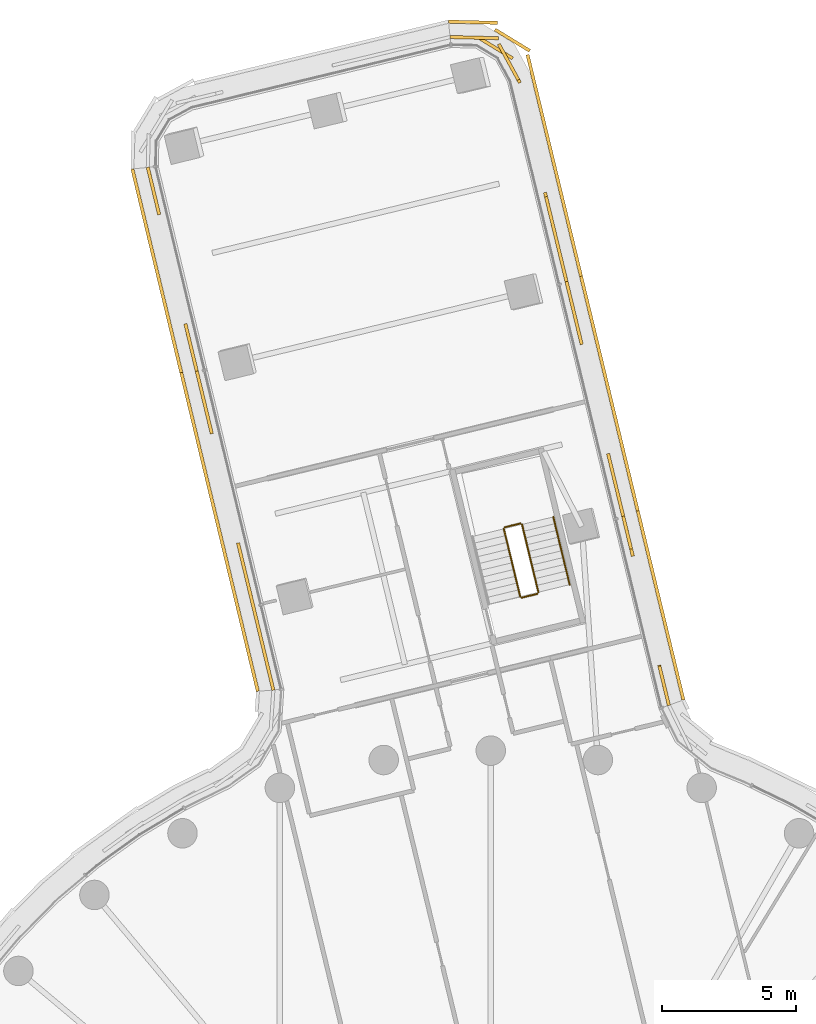
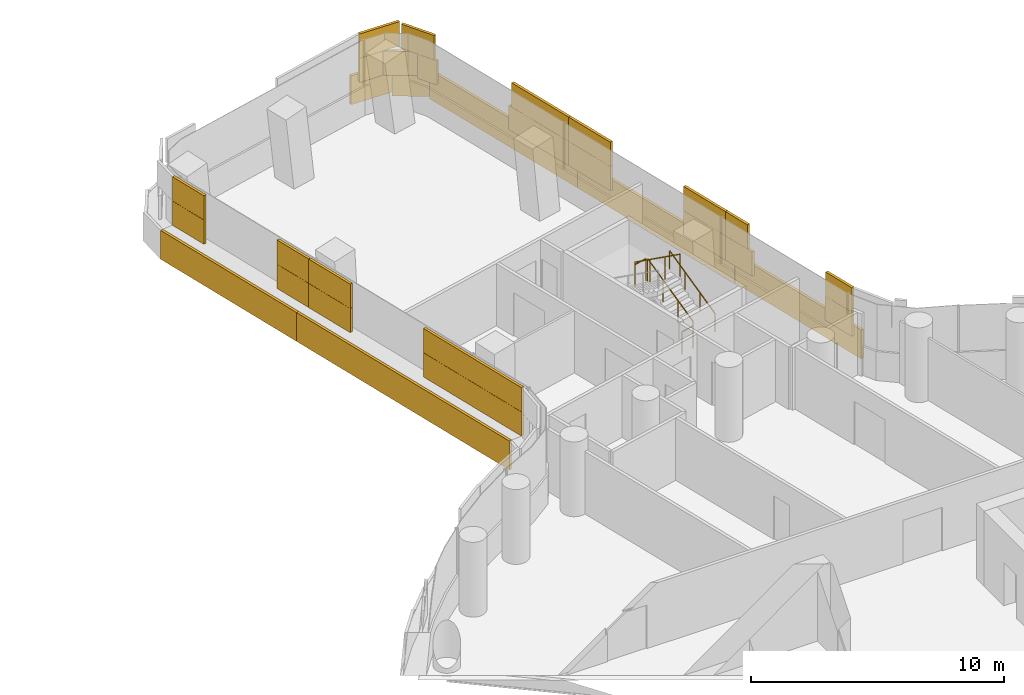
# One storey, part 31 of 33: 5 coverings, 5 railings.
"""IFC4 building model written with IfcOpenShell, lengths in metres."""

from ifc_helpers import new_model, si_unit, direction, frame, origin, origin_2d, place, context, subcontext, project, spatial, rectangle, circle, extrude, material, layer, layer_set, type_object, element, save


model = new_model("IFC4")

# Units and contexts
model_context = context("Model", 3, precision=1e-05, world=origin(), true_north=direction((0.0, 1.0)))
body_context = subcontext(model_context, "Body", "Model", "MODEL_VIEW")
ifc_project = project(units=[si_unit("LENGTHUNIT", "METRE"), si_unit("AREAUNIT", "SQUARE_METRE"), si_unit("VOLUMEUNIT", "CUBIC_METRE"), si_unit("PLANEANGLEUNIT", "RADIAN"), si_unit("MASSUNIT", "GRAM", prefix="KILO")], contexts=[model_context])

# Site, building, storey
site_placement = place(None, origin())
site = spatial("IfcSite", under=ifc_project, at=site_placement, CompositionType="ELEMENT")
building_placement = place(site_placement, origin())
building = spatial("IfcBuilding", under=site, at=building_placement, Name="Tamarind Cross Interchange Tower", CompositionType="ELEMENT")
storey_placement = place(building_placement, frame((0.0, 0.0, 83.5)))
storey = spatial("IfcBuildingStorey", under=building, at=storey_placement, Name="L19", CompositionType="ELEMENT", Elevation=83.5)

# Railings
ifc_material_1 = material(Name="Stair guard")
railing_type_1 = type_object("IfcRailingType", Name="Stair guard", PredefinedType="GUARDRAIL", material=ifc_material_1)
railing_1_placement = place(storey_placement, frame((1.77685546875, 28.91064453125, 0.17041015625)))
element("IfcRailing", 1, at=railing_1_placement, inside=storey, type_object=railing_type_1, Name="L19 ST4 stair guard 1", PredefinedType="GUARDRAIL", context=body_context, shape_type="SweptSolid", body=[
    extrude(circle(Radius=0.02392578125, at=origin_2d()), frame((0.0, 0.0, 1.076171875), z_axis=(-0.196408313984, 0.812883829688, 0.548309815369), x_axis=(-0.972029004941, -0.234860838697, 0.0)), (0.0, 0.0, 1.0), 3.10888671875),
    extrude(circle(Radius=0.02099609375, at=origin_2d()), origin(), (0.0, 0.0, 1.0), 1.052001953125),
    extrude(circle(Radius=0.02099609375, at=origin_2d()), frame((-0.20361328125, 0.84228515625, 0.568115234375)), (0.0, 0.0, 1.0), 1.052001953125),
    extrude(circle(Radius=0.02099609375, at=origin_2d()), frame((-0.406982421875, 1.684814453125, 1.136474609375)), (0.0, 0.0, 1.0), 1.052001953125),
    extrude(circle(Radius=0.02099609375, at=origin_2d()), frame((-0.610595703125, 2.527099609375, 1.70458984375)), (0.0, 0.0, 1.0), 1.052001953125),
])
railing_2_placement = place(storey_placement, frame((1.10595703125, 31.474609375, 1.875)))
element("IfcRailing", 2, at=railing_2_placement, inside=storey, type_object=railing_type_1, Name="L19 ST4 stair guard 2", PredefinedType="GUARDRAIL", context=body_context, shape_type="SweptSolid", body=[
    extrude(circle(Radius=0.02392578125, at=origin_2d()), frame((0.0, 0.0, 1.076171875), z_axis=(-0.972050197277, -0.234773111691, 0.0), x_axis=(0.234773111691, -0.972050197277, 0.0)), (0.0, 0.0, 1.0), 0.60009765625),
    extrude(circle(Radius=0.02099609375, at=origin_2d()), origin(), (0.0, 0.0, 1.0), 1.052001953125),
    extrude(circle(Radius=0.02099609375, at=origin_2d()), frame((-0.583251953125, -0.140869140625, 0.0)), (0.0, 0.0, 1.0), 1.052001953125),
])
railing_3_placement = place(storey_placement, frame((0.48583984375, 31.2734375, 2.04541015625)))
element("IfcRailing", 3, at=railing_3_placement, inside=storey, type_object=railing_type_1, Name="L19 ST4 stair guard 3", PredefinedType="GUARDRAIL", context=body_context, shape_type="SweptSolid", body=[
    extrude(circle(Radius=0.02392578125, at=origin_2d()), frame((0.0, 0.0, 1.076171875), z_axis=(0.196395776398, -0.812910466723, 0.548274814399), x_axis=(0.972034184093, 0.234839402475, 0.0)), (0.0, 0.0, 1.0), 3.10888671875),
    extrude(circle(Radius=0.02099609375, at=origin_2d()), origin(), (0.0, 0.0, 1.0), 1.052001953125),
    extrude(circle(Radius=0.02099609375, at=origin_2d()), frame((0.20361328125, -0.842529296875, 0.568115234375)), (0.0, 0.0, 1.0), 1.052001953125),
    extrude(circle(Radius=0.02099609375, at=origin_2d()), frame((0.406982421875, -1.684814453125, 1.136474609375)), (0.0, 0.0, 1.0), 1.052001953125),
    extrude(circle(Radius=0.02099609375, at=origin_2d()), frame((0.610595703125, -2.52734375, 1.70458984375)), (0.0, 0.0, 1.0), 1.052001953125),
])
railing_4_placement = place(storey_placement, frame((1.739990234375, 28.85009765625, 0.0)))
element("IfcRailing", 4, at=railing_4_placement, inside=storey, type_object=railing_type_1, Name="L19 ST4 stair guard 4", PredefinedType="GUARDRAIL", context=body_context, shape_type="SweptSolid", body=[
    extrude(circle(Radius=0.02392578125, at=origin_2d()), frame((0.0, 0.0, 1.076171875), z_axis=(-0.972050197277, -0.234773111691, 0.0), x_axis=(0.234773111691, -0.972050197277, 0.0)), (0.0, 0.0, 1.0), 0.60009765625),
    extrude(circle(Radius=0.02099609375, at=origin_2d()), origin(), (0.0, 0.0, 1.0), 1.052001953125),
    extrude(circle(Radius=0.02099609375, at=origin_2d()), frame((-0.583251953125, -0.140869140625, 0.0)), (0.0, 0.0, 1.0), 1.052001953125),
])
ifc_material_2 = material(Name="Stair handrail")
railing_type_2 = type_object("IfcRailingType", Name="Stair handrail", PredefinedType="HANDRAIL", material=ifc_material_2)
railing_5_placement = place(storey_placement, frame((2.943115234375, 29.1923828125, 0.17041015625)))
element("IfcRailing", 5, at=railing_5_placement, inside=storey, type_object=railing_type_2, Name="L19 ST4 stair handrail 1", PredefinedType="HANDRAIL", context=body_context, shape_type="SweptSolid", body=[
    extrude(circle(Radius=0.02392578125, at=origin_2d()), frame((0.0, 0.0, 0.8759765625), z_axis=(-0.196320276637, 0.812923001498, 0.548283268591), x_axis=(-0.97205561484, -0.234750679782, 0.0)), (0.0, 0.0, 1.0), 3.10888671875),
    extrude(circle(Radius=0.02099609375, at=origin_2d()), origin(), (0.0, 0.0, 1.0), 0.851806640625),
    extrude(circle(Radius=0.02099609375, at=origin_2d()), frame((-0.203369140625, 0.842529296875, 0.568115234375)), (0.0, 0.0, 1.0), 0.851806640625),
    extrude(circle(Radius=0.02099609375, at=origin_2d()), frame((-0.406982421875, 1.684814453125, 1.136474609375)), (0.0, 0.0, 1.0), 0.851806640625),
    extrude(circle(Radius=0.02099609375, at=origin_2d()), frame((-0.6103515625, 2.52734375, 1.70458984375)), (0.0, 0.0, 1.0), 0.851806640625),
])

# Coverings
ifc_material_3 = material(Name="Terracotta", Category="masonry")
ifc_layer = layer(ifc_material_3, 0.1201171875)
ifc_layer_set = layer_set([ifc_layer], Name="Terracotta")
covering_type = type_object("IfcCoveringType", Name="Terracotta baguette screen unit", PredefinedType="MOLDING", material=ifc_layer_set)
covering_1_placement = place(storey_placement, origin())
element("IfcCovering", 6, at=covering_1_placement, inside=storey, type_object=covering_type, Name="SCR-L19-01-00", PredefinedType="MOLDING", context=body_context, shape_type="SweptSolid", body=[
    extrude(rectangle(XDim=0.760009765625, YDim=0.1201171875, at=origin_2d()), frame((-12.704345703125, 44.39208984375, 1.404052734375), z_axis=(0.0, 0.0, 1.0), x_axis=(0.233544182771, -0.972346190764, 0.0)), (0.0, 0.0, 1.0), 1.1669921875),
    extrude(rectangle(XDim=1.06591796875, YDim=0.1201171875, at=origin_2d()), frame((-12.49365234375, 43.51416015625, 1.404052734375), z_axis=(0.0, 0.0, 1.0), x_axis=(0.233544182771, -0.972346190764, 0.0)), (0.0, 0.0, 1.0), 1.1669921875),
    extrude(rectangle(XDim=0.754150390625, YDim=0.1201171875, at=origin_2d()), frame((-11.302490234375, 38.55517578125, 1.404052734375), z_axis=(0.0, 0.0, 1.0), x_axis=(0.233544182771, -0.972346190764, 0.0)), (0.0, 0.0, 1.0), 1.1669921875),
    extrude(rectangle(XDim=1.07177734375, YDim=0.1201171875, at=origin_2d()), frame((-11.091552734375, 37.67724609375, 1.404052734375), z_axis=(0.0, 0.0, 1.0), x_axis=(0.233544182771, -0.972346190764, 0.0)), (0.0, 0.0, 1.0), 1.1669921875),
    extrude(rectangle(XDim=1.510009765625, YDim=0.1201171875, at=origin_2d()), frame((-12.616943359375, 44.02734375, 2.5791015625), z_axis=(0.0, 0.0, 1.0), x_axis=(0.233544182771, -0.972346190764, 0.0)), (0.0, 0.0, 1.0), 1.1669921875),
    extrude(rectangle(XDim=0.31591796875, YDim=0.1201171875, at=origin_2d()), frame((-12.406005859375, 43.1494140625, 2.5791015625), z_axis=(0.0, 0.0, 1.0), x_axis=(0.233544182771, -0.972346190764, 0.0)), (0.0, 0.0, 1.0), 1.1669921875),
    extrude(rectangle(XDim=1.504150390625, YDim=0.1201171875, at=origin_2d()), frame((-11.21484375, 38.1904296875, 2.5791015625), z_axis=(0.0, 0.0, 1.0), x_axis=(0.233544182771, -0.972346190764, 0.0)), (0.0, 0.0, 1.0), 1.1669921875),
    extrude(rectangle(XDim=0.32177734375, YDim=0.1201171875, at=origin_2d()), frame((-11.00390625, 37.3125, 2.5791015625), z_axis=(0.0, 0.0, 1.0), x_axis=(0.233544182771, -0.972346190764, 0.0)), (0.0, 0.0, 1.0), 1.1669921875),
    extrude(rectangle(XDim=0.760009765625, YDim=0.1201171875, at=origin_2d()), frame((-13.27880859375, 44.326171875, 0.00390625), z_axis=(0.0, 0.0, 1.0), x_axis=(0.233544182771, -0.972346190764, 0.0)), (0.0, 0.0, 1.0), 1.39208984375),
    extrude(rectangle(XDim=1.52001953125, YDim=0.1201171875, at=origin_2d()), frame((-13.017333984375, 43.237060546875, 0.00390625), z_axis=(0.0, 0.0, 1.0), x_axis=(0.233544182771, -0.972346190764, 0.0)), (0.0, 0.0, 1.0), 1.39208984375),
    extrude(rectangle(XDim=1.52001953125, YDim=0.1201171875, at=origin_2d()), frame((-12.6669921875, 41.778564453125, 0.00390625), z_axis=(0.0, 0.0, 1.0), x_axis=(0.233544182771, -0.972346190764, 0.0)), (0.0, 0.0, 1.0), 1.39208984375),
    extrude(rectangle(XDim=1.52001953125, YDim=0.1201171875, at=origin_2d()), frame((-12.316650390625, 40.320068359375, 0.00390625), z_axis=(0.0, 0.0, 1.0), x_axis=(0.233544182771, -0.972346190764, 0.0)), (0.0, 0.0, 1.0), 1.39208984375),
    extrude(rectangle(XDim=1.52001953125, YDim=0.1201171875, at=origin_2d()), frame((-11.96630859375, 38.861572265625, 0.00390625), z_axis=(0.0, 0.0, 1.0), x_axis=(0.233544182771, -0.972346190764, 0.0)), (0.0, 0.0, 1.0), 1.39208984375),
    extrude(rectangle(XDim=1.06689453125, YDim=0.1201171875, at=origin_2d()), frame((-11.6689453125, 37.623291015625, 0.00390625), z_axis=(0.0, 0.0, 1.0), x_axis=(0.233544182771, -0.972346190764, 0.0)), (0.0, 0.0, 1.0), 1.39208984375),
])
covering_2_placement = place(storey_placement, origin())
element("IfcCovering", 7, at=covering_2_placement, inside=storey, type_object=covering_type, Name="SCR-L19-01-01", PredefinedType="MOLDING", context=body_context, shape_type="SweptSolid", body=[
    extrude(rectangle(XDim=0.4482421875, YDim=0.1201171875, at=origin_2d()), frame((-10.91650390625, 36.947998046875, 1.404052734375), z_axis=(0.0, 0.0, 1.0), x_axis=(0.233544182771, -0.972346190764, 0.0)), (0.0, 0.0, 1.0), 1.1669921875),
    extrude(rectangle(XDim=1.52001953125, YDim=0.1201171875, at=origin_2d()), frame((-10.690185546875, 36.005615234375, 1.404052734375), z_axis=(0.0, 0.0, 1.0), x_axis=(0.233544182771, -0.972346190764, 0.0)), (0.0, 0.0, 1.0), 1.1669921875),
    extrude(rectangle(XDim=0.47119140625, YDim=0.1201171875, at=origin_2d()), frame((-10.461181640625, 35.052001953125, 1.404052734375), z_axis=(0.0, 0.0, 1.0), x_axis=(0.233544182771, -0.972346190764, 0.0)), (0.0, 0.0, 1.0), 1.1669921875),
    extrude(rectangle(XDim=1.348876953125, YDim=0.1201171875, at=origin_2d()), frame((-9.27001953125, 30.093017578125, 1.404052734375), z_axis=(0.0, 0.0, 1.0), x_axis=(0.233544182771, -0.972346190764, 0.0)), (0.0, 0.0, 1.0), 1.1669921875),
    extrude(rectangle(XDim=1.52001953125, YDim=0.1201171875, at=origin_2d()), frame((-8.9384765625, 28.712890625, 1.404052734375), z_axis=(0.0, 0.0, 1.0), x_axis=(0.233544182771, -0.972346190764, 0.0)), (0.0, 0.0, 1.0), 1.1669921875),
    extrude(rectangle(XDim=1.52001953125, YDim=0.1201171875, at=origin_2d()), frame((-8.588134765625, 27.25439453125, 1.404052734375), z_axis=(0.0, 0.0, 1.0), x_axis=(0.233544182771, -0.972346190764, 0.0)), (0.0, 0.0, 1.0), 1.1669921875),
    extrude(rectangle(XDim=1.30712890625, YDim=0.1201171875, at=origin_2d()), frame((-8.261474609375, 25.89453125, 1.404052734375), z_axis=(0.0, 0.0, 1.0), x_axis=(0.233544182771, -0.972346190764, 0.0)), (0.0, 0.0, 1.0), 1.1669921875),
    extrude(rectangle(XDim=1.1982421875, YDim=0.1201171875, at=origin_2d()), frame((-10.828857421875, 36.583251953125, 2.5791015625), z_axis=(0.0, 0.0, 1.0), x_axis=(0.233544182771, -0.972346190764, 0.0)), (0.0, 0.0, 1.0), 1.1669921875),
    extrude(rectangle(XDim=1.22119140625, YDim=0.1201171875, at=origin_2d()), frame((-10.548583984375, 35.416748046875, 2.5791015625), z_axis=(0.0, 0.0, 1.0), x_axis=(0.233544182771, -0.972346190764, 0.0)), (0.0, 0.0, 1.0), 1.1669921875),
    extrude(rectangle(XDim=0.598876953125, YDim=0.1201171875, at=origin_2d()), frame((-9.357666015625, 30.457763671875, 2.5791015625), z_axis=(0.0, 0.0, 1.0), x_axis=(0.233544182771, -0.972346190764, 0.0)), (0.0, 0.0, 1.0), 1.1669921875),
    extrude(rectangle(XDim=1.52001953125, YDim=0.1201171875, at=origin_2d()), frame((-9.11376953125, 29.442138671875, 2.5791015625), z_axis=(0.0, 0.0, 1.0), x_axis=(0.233544182771, -0.972346190764, 0.0)), (0.0, 0.0, 1.0), 1.1669921875),
    extrude(rectangle(XDim=1.52001953125, YDim=0.1201171875, at=origin_2d()), frame((-8.763427734375, 27.983642578125, 2.5791015625), z_axis=(0.0, 0.0, 1.0), x_axis=(0.233544182771, -0.972346190764, 0.0)), (0.0, 0.0, 1.0), 1.1669921875),
    extrude(rectangle(XDim=1.52001953125, YDim=0.1201171875, at=origin_2d()), frame((-8.4130859375, 26.525146484375, 2.5791015625), z_axis=(0.0, 0.0, 1.0), x_axis=(0.233544182771, -0.972346190764, 0.0)), (0.0, 0.0, 1.0), 1.1669921875),
    extrude(rectangle(XDim=0.55712890625, YDim=0.1201171875, at=origin_2d()), frame((-8.174072265625, 25.530029296875, 2.5791015625), z_axis=(0.0, 0.0, 1.0), x_axis=(0.233544182771, -0.972346190764, 0.0)), (0.0, 0.0, 1.0), 1.1669921875),
    extrude(rectangle(XDim=0.453125, YDim=0.1201171875, at=origin_2d()), frame((-11.491455078125, 36.88427734375, 0.00390625), z_axis=(0.0, 0.0, 1.0), x_axis=(0.233544182771, -0.972346190764, 0.0)), (0.0, 0.0, 1.0), 1.39208984375),
    extrude(rectangle(XDim=1.52001953125, YDim=0.1201171875, at=origin_2d()), frame((-11.265869140625, 35.944580078125, 0.00390625), z_axis=(0.0, 0.0, 1.0), x_axis=(0.233544182771, -0.972346190764, 0.0)), (0.0, 0.0, 1.0), 1.39208984375),
    extrude(rectangle(XDim=1.52001953125, YDim=0.1201171875, at=origin_2d()), frame((-10.91552734375, 34.486083984375, 0.00390625), z_axis=(0.0, 0.0, 1.0), x_axis=(0.233544182771, -0.972346190764, 0.0)), (0.0, 0.0, 1.0), 1.39208984375),
    extrude(rectangle(XDim=1.52001953125, YDim=0.1201171875, at=origin_2d()), frame((-10.565185546875, 33.027587890625, 0.00390625), z_axis=(0.0, 0.0, 1.0), x_axis=(0.233544182771, -0.972346190764, 0.0)), (0.0, 0.0, 1.0), 1.39208984375),
    extrude(rectangle(XDim=1.52001953125, YDim=0.1201171875, at=origin_2d()), frame((-10.21484375, 31.569091796875, 0.00390625), z_axis=(0.0, 0.0, 1.0), x_axis=(0.233544182771, -0.972346190764, 0.0)), (0.0, 0.0, 1.0), 1.39208984375),
    extrude(rectangle(XDim=1.52001953125, YDim=0.1201171875, at=origin_2d()), frame((-9.864501953125, 30.110595703125, 0.00390625), z_axis=(0.0, 0.0, 1.0), x_axis=(0.233544182771, -0.972346190764, 0.0)), (0.0, 0.0, 1.0), 1.39208984375),
    extrude(rectangle(XDim=1.52001953125, YDim=0.1201171875, at=origin_2d()), frame((-9.51416015625, 28.652099609375, 0.00390625), z_axis=(0.0, 0.0, 1.0), x_axis=(0.233544182771, -0.972346190764, 0.0)), (0.0, 0.0, 1.0), 1.39208984375),
    extrude(rectangle(XDim=1.52001953125, YDim=0.1201171875, at=origin_2d()), frame((-9.163818359375, 27.193359375, 0.00390625), z_axis=(0.0, 0.0, 1.0), x_axis=(0.233544182771, -0.972346190764, 0.0)), (0.0, 0.0, 1.0), 1.39208984375),
    extrude(rectangle(XDim=1.294921875, YDim=0.1201171875, at=origin_2d()), frame((-8.83984375, 25.844482421875, 0.00390625), z_axis=(0.0, 0.0, 1.0), x_axis=(0.233544182771, -0.972346190764, 0.0)), (0.0, 0.0, 1.0), 1.39208984375),
])
covering_3_placement = place(storey_placement, origin())
element("IfcCovering", 8, at=covering_3_placement, inside=storey, type_object=covering_type, Name="SCR-L19-15-00", PredefinedType="MOLDING", context=body_context, shape_type="SweptSolid", body=[
    extrude(rectangle(XDim=0.760009765625, YDim=0.1201171875, at=origin_2d()), frame((6.554443359375, 25.060791015625, 1.404052734375), z_axis=(0.0, 0.0, 1.0), x_axis=(-0.234843537027, 0.972033185193, 0.0)), (0.0, 0.0, 1.0), 1.1669921875),
    extrude(rectangle(XDim=0.784912109375, YDim=0.1201171875, at=origin_2d()), frame((6.37548828125, 25.8017578125, 1.404052734375), z_axis=(0.0, 0.0, 1.0), x_axis=(-0.234843537027, 0.972033185193, 0.0)), (0.0, 0.0, 1.0), 1.1669921875),
    extrude(rectangle(XDim=1.03515625, YDim=0.1201171875, at=origin_2d()), frame((5.177734375, 30.75927734375, 1.404052734375), z_axis=(0.0, 0.0, 1.0), x_axis=(-0.234843537027, 0.972033185193, 0.0)), (0.0, 0.0, 1.0), 1.1669921875),
    extrude(rectangle(XDim=0.509521484375, YDim=0.1201171875, at=origin_2d()), frame((4.998779296875, 31.500244140625, 1.404052734375), z_axis=(0.0, 0.0, 1.0), x_axis=(-0.234843537027, 0.972033185193, 0.0)), (0.0, 0.0, 1.0), 1.1669921875),
    extrude(rectangle(XDim=1.510009765625, YDim=0.1201171875, at=origin_2d()), frame((6.466552734375, 25.42529296875, 2.5791015625), z_axis=(0.0, 0.0, 1.0), x_axis=(-0.234843537027, 0.972033185193, 0.0)), (0.0, 0.0, 1.0), 1.1669921875),
    extrude(rectangle(XDim=1.259521484375, YDim=0.1201171875, at=origin_2d()), frame((5.086669921875, 31.1357421875, 2.5791015625), z_axis=(0.0, 0.0, 1.0), x_axis=(-0.234843537027, 0.972033185193, 0.0)), (0.0, 0.0, 1.0), 1.1669921875),
    extrude(rectangle(XDim=0.760009765625, YDim=0.1201171875, at=origin_2d()), frame((7.096435546875, 25.26171875, 0.00390625), z_axis=(0.0, 0.0, 1.0), x_axis=(-0.234843537027, 0.972033185193, 0.0)), (0.0, 0.0, 1.0), 1.39208984375),
    extrude(rectangle(XDim=1.52001953125, YDim=0.1201171875, at=origin_2d()), frame((6.83349609375, 26.350341796875, 0.00390625), z_axis=(0.0, 0.0, 1.0), x_axis=(-0.234843537027, 0.972033185193, 0.0)), (0.0, 0.0, 1.0), 1.39208984375),
    extrude(rectangle(XDim=1.52001953125, YDim=0.1201171875, at=origin_2d()), frame((6.481201171875, 27.808349609375, 0.00390625), z_axis=(0.0, 0.0, 1.0), x_axis=(-0.234843537027, 0.972033185193, 0.0)), (0.0, 0.0, 1.0), 1.39208984375),
    extrude(rectangle(XDim=1.52001953125, YDim=0.1201171875, at=origin_2d()), frame((6.12890625, 29.266357421875, 0.00390625), z_axis=(0.0, 0.0, 1.0), x_axis=(-0.234843537027, 0.972033185193, 0.0)), (0.0, 0.0, 1.0), 1.39208984375),
    extrude(rectangle(XDim=1.52001953125, YDim=0.1201171875, at=origin_2d()), frame((5.776611328125, 30.724365234375, 0.00390625), z_axis=(0.0, 0.0, 1.0), x_axis=(-0.234843537027, 0.972033185193, 0.0)), (0.0, 0.0, 1.0), 1.39208984375),
    extrude(rectangle(XDim=0.513427734375, YDim=0.1201171875, at=origin_2d()), frame((5.542724609375, 31.693359375, 0.00390625), z_axis=(0.0, 0.0, 1.0), x_axis=(-0.234843537027, 0.972033185193, 0.0)), (0.0, 0.0, 1.0), 1.39208984375),
])
covering_4_placement = place(storey_placement, origin())
element("IfcCovering", 9, at=covering_4_placement, inside=storey, type_object=covering_type, Name="SCR-L19-15-01", PredefinedType="MOLDING", context=body_context, shape_type="SweptSolid", body=[
    extrude(rectangle(XDim=1.010498046875, YDim=0.1201171875, at=origin_2d()), frame((4.822509765625, 32.229248046875, 1.404052734375), z_axis=(0.0, 0.0, 1.0), x_axis=(-0.234843537027, 0.972033185193, 0.0)), (0.0, 0.0, 1.0), 1.1669921875),
    extrude(rectangle(XDim=1.409912109375, YDim=0.1201171875, at=origin_2d()), frame((4.540771484375, 33.39599609375, 1.404052734375), z_axis=(0.0, 0.0, 1.0), x_axis=(-0.234843537027, 0.972033185193, 0.0)), (0.0, 0.0, 1.0), 1.1669921875),
    extrude(rectangle(XDim=0.409912109375, YDim=0.1201171875, at=origin_2d()), frame((3.343017578125, 38.353271484375, 1.404052734375), z_axis=(0.0, 0.0, 1.0), x_axis=(-0.234843537027, 0.972033185193, 0.0)), (0.0, 0.0, 1.0), 1.1669921875),
    extrude(rectangle(XDim=1.52001953125, YDim=0.1201171875, at=origin_2d()), frame((3.119873046875, 39.27685546875, 1.404052734375), z_axis=(0.0, 0.0, 1.0), x_axis=(-0.234843537027, 0.972033185193, 0.0)), (0.0, 0.0, 1.0), 1.1669921875),
    extrude(rectangle(XDim=0.51025390625, YDim=0.1201171875, at=origin_2d()), frame((2.885009765625, 40.2490234375, 1.404052734375), z_axis=(0.0, 0.0, 1.0), x_axis=(-0.234843537027, 0.972033185193, 0.0)), (0.0, 0.0, 1.0), 1.1669921875),
    extrude(rectangle(XDim=0.260498046875, YDim=0.1201171875, at=origin_2d()), frame((4.91064453125, 31.86474609375, 2.5791015625), z_axis=(0.0, 0.0, 1.0), x_axis=(-0.234843537027, 0.972033185193, 0.0)), (0.0, 0.0, 1.0), 1.1669921875),
    extrude(rectangle(XDim=1.52001953125, YDim=0.1201171875, at=origin_2d()), frame((4.705078125, 32.715576171875, 2.5791015625), z_axis=(0.0, 0.0, 1.0), x_axis=(-0.234843537027, 0.972033185193, 0.0)), (0.0, 0.0, 1.0), 1.1669921875),
    extrude(rectangle(XDim=0.659912109375, YDim=0.1201171875, at=origin_2d()), frame((4.45263671875, 33.760498046875, 2.5791015625), z_axis=(0.0, 0.0, 1.0), x_axis=(-0.234843537027, 0.972033185193, 0.0)), (0.0, 0.0, 1.0), 1.1669921875),
    extrude(rectangle(XDim=1.159912109375, YDim=0.1201171875, at=origin_2d()), frame((3.2548828125, 38.7177734375, 2.5791015625), z_axis=(0.0, 0.0, 1.0), x_axis=(-0.234843537027, 0.972033185193, 0.0)), (0.0, 0.0, 1.0), 1.1669921875),
    extrude(rectangle(XDim=1.26025390625, YDim=0.1201171875, at=origin_2d()), frame((2.97314453125, 39.884521484375, 2.5791015625), z_axis=(0.0, 0.0, 1.0), x_axis=(-0.234843537027, 0.972033185193, 0.0)), (0.0, 0.0, 1.0), 1.1669921875),
    extrude(rectangle(XDim=1.006591796875, YDim=0.1201171875, at=origin_2d()), frame((5.364013671875, 32.43212890625, 0.00390625), z_axis=(0.0, 0.0, 1.0), x_axis=(-0.234843537027, 0.972033185193, 0.0)), (0.0, 0.0, 1.0), 1.39208984375),
    extrude(rectangle(XDim=1.52001953125, YDim=0.1201171875, at=origin_2d()), frame((5.072265625, 33.640625, 0.00390625), z_axis=(0.0, 0.0, 1.0), x_axis=(-0.234843537027, 0.972033185193, 0.0)), (0.0, 0.0, 1.0), 1.39208984375),
    extrude(rectangle(XDim=1.52001953125, YDim=0.1201171875, at=origin_2d()), frame((4.719970703125, 35.0986328125, 0.00390625), z_axis=(0.0, 0.0, 1.0), x_axis=(-0.234843537027, 0.972033185193, 0.0)), (0.0, 0.0, 1.0), 1.39208984375),
    extrude(rectangle(XDim=1.52001953125, YDim=0.1201171875, at=origin_2d()), frame((4.36767578125, 36.556640625, 0.00390625), z_axis=(0.0, 0.0, 1.0), x_axis=(-0.234843537027, 0.972033185193, 0.0)), (0.0, 0.0, 1.0), 1.39208984375),
    extrude(rectangle(XDim=1.52001953125, YDim=0.1201171875, at=origin_2d()), frame((4.015380859375, 38.0146484375, 0.00390625), z_axis=(0.0, 0.0, 1.0), x_axis=(-0.234843537027, 0.972033185193, 0.0)), (0.0, 0.0, 1.0), 1.39208984375),
    extrude(rectangle(XDim=1.52001953125, YDim=0.1201171875, at=origin_2d()), frame((3.6630859375, 39.47265625, 0.00390625), z_axis=(0.0, 0.0, 1.0), x_axis=(-0.234843537027, 0.972033185193, 0.0)), (0.0, 0.0, 1.0), 1.39208984375),
    extrude(rectangle(XDim=0.518798828125, YDim=0.1201171875, at=origin_2d()), frame((3.428466796875, 40.4443359375, 0.00390625), z_axis=(0.0, 0.0, 1.0), x_axis=(-0.234843537027, 0.972033185193, 0.0)), (0.0, 0.0, 1.0), 1.39208984375),
])
covering_5_placement = place(storey_placement, origin())
element("IfcCovering", 10, at=covering_5_placement, inside=storey, type_object=covering_type, Name="SCR-L19-15-02", PredefinedType="MOLDING", context=body_context, shape_type="SweptSolid", body=[
    extrude(rectangle(XDim=1.009765625, YDim=0.1201171875, at=origin_2d()), frame((2.708984375, 40.97802734375, 1.404052734375), z_axis=(0.0, 0.0, 1.0), x_axis=(-0.234843537027, 0.972033185193, 0.0)), (0.0, 0.0, 1.0), 1.1669921875),
    extrude(rectangle(XDim=1.52001953125, YDim=0.1201171875, at=origin_2d()), frame((2.415283203125, 42.19287109375, 1.404052734375), z_axis=(0.0, 0.0, 1.0), x_axis=(-0.234843537027, 0.972033185193, 0.0)), (0.0, 0.0, 1.0), 1.1669921875),
    extrude(rectangle(XDim=0.929931640625, YDim=0.1201171875, at=origin_2d()), frame((2.13134765625, 43.368896484375, 1.404052734375), z_axis=(0.0, 0.0, 1.0), x_axis=(-0.234843537027, 0.972033185193, 0.0)), (0.0, 0.0, 1.0), 1.1669921875),
    extrude(rectangle(XDim=0.89013671875, YDim=0.1201171875, at=origin_2d()), frame((0.87353515625, 48.30322265625, 1.404052734375), z_axis=(0.0, 0.0, 1.0), x_axis=(-0.478422138351, 0.878129977586, 0.0)), (0.0, 0.0, 1.0), 1.1669921875),
    extrude(rectangle(XDim=1.52001953125, YDim=0.1201171875, at=origin_2d()), frame((0.167236328125, 49.2177734375, 1.404052734375), z_axis=(0.0, 0.0, 1.0), x_axis=(-0.853390714338, 0.521271799238, 0.0)), (0.0, 0.0, 1.0), 1.1669921875),
    extrude(rectangle(XDim=1.04931640625, YDim=0.1201171875, at=origin_2d()), frame((-0.9970703125, 49.605712890625, 1.404052734375), z_axis=(0.0, 0.0, 1.0), x_axis=(-0.99969393759, 0.024739263248, 0.0)), (0.0, 0.0, 1.0), 1.1669921875),
    extrude(rectangle(XDim=0.259765625, YDim=0.1201171875, at=origin_2d()), frame((2.796875, 40.613525390625, 2.5791015625), z_axis=(0.0, 0.0, 1.0), x_axis=(-0.234843537027, 0.972033185193, 0.0)), (0.0, 0.0, 1.0), 1.1669921875),
    extrude(rectangle(XDim=1.52001953125, YDim=0.1201171875, at=origin_2d()), frame((2.591552734375, 41.4638671875, 2.5791015625), z_axis=(0.0, 0.0, 1.0), x_axis=(-0.234843537027, 0.972033185193, 0.0)), (0.0, 0.0, 1.0), 1.1669921875),
    extrude(rectangle(XDim=1.52001953125, YDim=0.1201171875, at=origin_2d()), frame((2.2392578125, 42.921875, 2.5791015625), z_axis=(0.0, 0.0, 1.0), x_axis=(-0.234843537027, 0.972033185193, 0.0)), (0.0, 0.0, 1.0), 1.1669921875),
    extrude(rectangle(XDim=1.52001953125, YDim=0.1201171875, at=origin_2d()), frame((0.662841796875, 48.689697265625, 2.5791015625), z_axis=(0.0, 0.0, 1.0), x_axis=(-0.478422138351, 0.878129977586, 0.0)), (0.0, 0.0, 1.0), 1.1669921875),
    extrude(rectangle(XDim=1.52001953125, YDim=0.1201171875, at=origin_2d()), frame((-0.4775390625, 49.593017578125, 2.5791015625), z_axis=(0.0, 0.0, 1.0), x_axis=(-0.99969393759, 0.024739263248, 0.0)), (0.0, 0.0, 1.0), 1.1669921875),
    extrude(rectangle(XDim=0.29931640625, YDim=0.1201171875, at=origin_2d()), frame((-1.3720703125, 49.614990234375, 2.5791015625), z_axis=(0.0, 0.0, 1.0), x_axis=(-0.99969393759, 0.024739263248, 0.0)), (0.0, 0.0, 1.0), 1.1669921875),
    extrude(rectangle(XDim=1.001220703125, YDim=0.1201171875, at=origin_2d()), frame((3.25, 41.182861328125, 0.00390625), z_axis=(0.0, 0.0, 1.0), x_axis=(-0.234843537027, 0.972033185193, 0.0)), (0.0, 0.0, 1.0), 1.39208984375),
    extrude(rectangle(XDim=1.52001953125, YDim=0.1201171875, at=origin_2d()), frame((2.95849609375, 42.388916015625, 0.00390625), z_axis=(0.0, 0.0, 1.0), x_axis=(-0.234843537027, 0.972033185193, 0.0)), (0.0, 0.0, 1.0), 1.39208984375),
    extrude(rectangle(XDim=1.52001953125, YDim=0.1201171875, at=origin_2d()), frame((2.606201171875, 43.846923828125, 0.00390625), z_axis=(0.0, 0.0, 1.0), x_axis=(-0.234843537027, 0.972033185193, 0.0)), (0.0, 0.0, 1.0), 1.39208984375),
    extrude(rectangle(XDim=1.52001953125, YDim=0.1201171875, at=origin_2d()), frame((2.25390625, 45.304931640625, 0.00390625), z_axis=(0.0, 0.0, 1.0), x_axis=(-0.234843537027, 0.972033185193, 0.0)), (0.0, 0.0, 1.0), 1.39208984375),
    extrude(rectangle(XDim=1.52001953125, YDim=0.1201171875, at=origin_2d()), frame((1.90185546875, 46.762939453125, 0.00390625), z_axis=(0.0, 0.0, 1.0), x_axis=(-0.234843537027, 0.972033185193, 0.0)), (0.0, 0.0, 1.0), 1.39208984375),
    extrude(rectangle(XDim=1.52001953125, YDim=0.1201171875, at=origin_2d()), frame((1.549560546875, 48.220947265625, 0.00390625), z_axis=(0.0, 0.0, 1.0), x_axis=(-0.234843537027, 0.972033185193, 0.0)), (0.0, 0.0, 1.0), 1.39208984375),
    extrude(rectangle(XDim=1.52001953125, YDim=0.1201171875, at=origin_2d()), frame((0.80419921875, 49.50146484375, 0.00390625), z_axis=(0.0, 0.0, 1.0), x_axis=(-0.853390714338, 0.521271799238, 0.0)), (0.0, 0.0, 1.0), 1.39208984375),
    extrude(rectangle(XDim=1.52001953125, YDim=0.1201171875, at=origin_2d()), frame((-0.510009765625, 50.16796875, 0.00390625), z_axis=(0.0, 0.0, 1.0), x_axis=(-0.99969393759, 0.024739263248, 0.0)), (0.0, 0.0, 1.0), 1.39208984375),
    extrude(rectangle(XDim=0.328369140625, YDim=0.1201171875, at=origin_2d()), frame((-1.413818359375, 50.190185546875, 0.00390625), z_axis=(0.0, 0.0, 1.0), x_axis=(-0.99969393759, 0.024739263248, 0.0)), (0.0, 0.0, 1.0), 1.39208984375),
])

save(model, "model.ifc")
